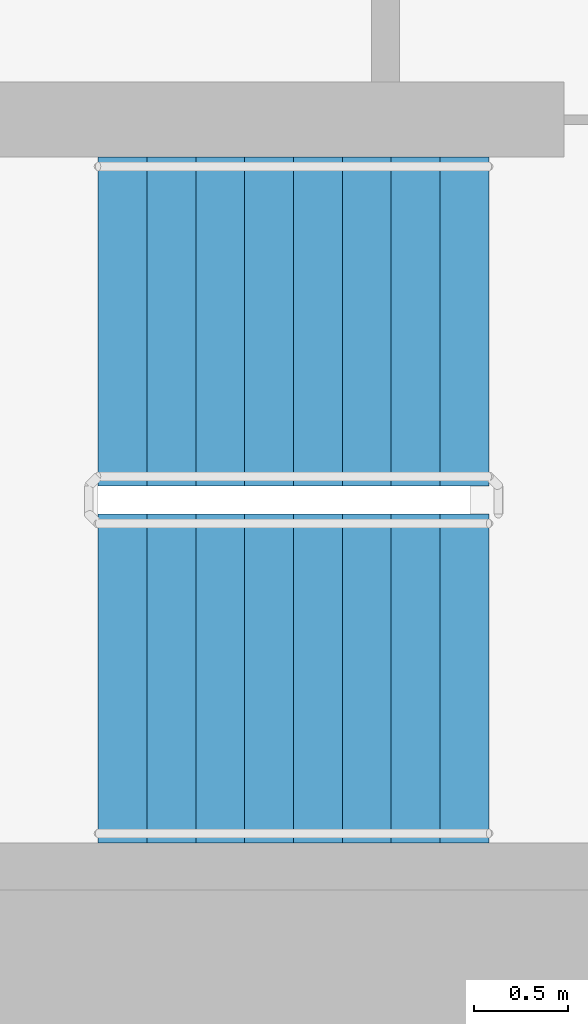
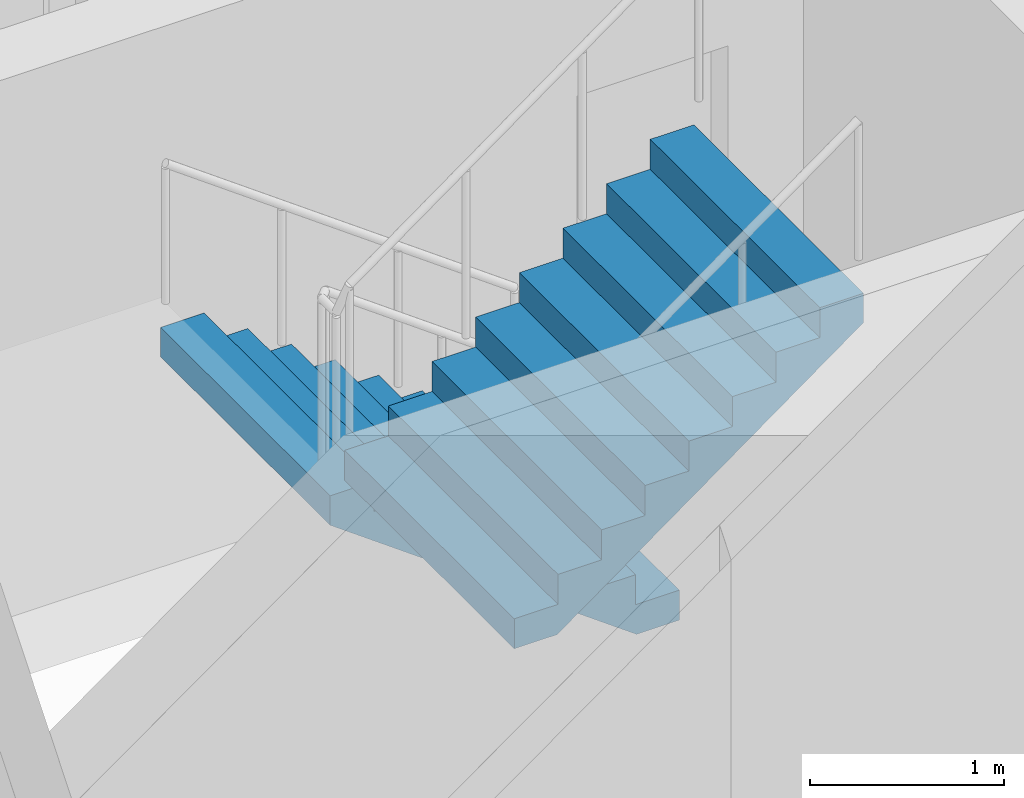
# One storey, part 15 of 21: 2 stair flights, 1 element without a shape of its own.
"""IFC4 building model written with IfcOpenShell, lengths in metres."""

from ifc_helpers import new_model, si_unit, direction, frame, origin, place, context, subcontext, project, spatial, faceted_brep, material, type_object, element, aggregate, save


model = new_model("IFC4")

# Units and contexts
model_context = context("Model", 3, precision=1e-05, world=origin(), true_north=direction((0.0, 1.0)))
body_context = subcontext(model_context, "Body", "Model", "MODEL_VIEW")
ifc_project = project(units=[si_unit("LENGTHUNIT", "METRE"), si_unit("AREAUNIT", "SQUARE_METRE"), si_unit("VOLUMEUNIT", "CUBIC_METRE"), si_unit("PLANEANGLEUNIT", "RADIAN"), si_unit("MASSUNIT", "GRAM", prefix="KILO")], contexts=[model_context])

# Site, building, storey
site_placement = place(None, origin())
site = spatial("IfcSite", under=ifc_project, at=site_placement, CompositionType="ELEMENT")
building_placement = place(site_placement, origin())
building = spatial("IfcBuilding", under=site, at=building_placement, Name="Ipe Terrace Towers", CompositionType="ELEMENT")
storey_placement = place(building_placement, frame((0.0, 0.0, 107.199951171875)))
storey = spatial("IfcBuildingStorey", under=building, at=storey_placement, Name="L29", CompositionType="ELEMENT", Elevation=107.199951171875)

# Stair, stair flights
ifc_material_1 = material(Name="Concrete C30/37", Category="concrete")
stair_type = type_object("IfcStairType", Name="Protected exit stair", PredefinedType="HALF_TURN_STAIR", material=ifc_material_1)
stair_placement = place(storey_placement, origin())
stair = element("IfcStair", 1, at=stair_placement, inside=storey, type_object=stair_type, Name="L29 Exit stair T1-C2", PredefinedType="HALF_TURN_STAIR")
ifc_material_2 = material(Name="Concrete C30/37", Category="concrete")
stair_flight_type = type_object("IfcStairFlightType", Name="Exit stair flight 1750", PredefinedType="STRAIGHT", material=ifc_material_2)
stair_flight_1_placement = place(storey_placement, frame((-45.699951171875, -2.77490234375, 0.0), z_axis=(0.0, 0.0, 1.0), x_axis=(-1.0, 0.0, 0.0)))
stair_flight_1 = element("IfcStairFlight", 2, at=stair_flight_1_placement, type_object=stair_flight_type, Name="T1-ST2 flight 1", NumberOfRisers=9, NumberOfTreads=8, PredefinedType="STRAIGHT", RiserHeight=0.188888889, TreadLength=0.26, context=body_context, shape_type="Brep", body=[
    faceted_brep([(0.255126953125, -0.875, 0.0), (2.080078125, -0.875, 1.325927734375), (2.080078125, -0.875, 1.51123046875), (1.820068359375, -0.875, 1.51123046875), (1.820068359375, -0.875, 1.322265625), (1.56005859375, -0.875, 1.322265625), (1.56005859375, -0.875, 1.13330078125), (1.300048828125, -0.875, 1.13330078125), (1.300048828125, -0.875, 0.9443359375), (1.0400390625, -0.875, 0.9443359375), (1.0400390625, -0.875, 0.755615234375), (0.780029296875, -0.875, 0.755615234375), (0.780029296875, -0.875, 0.566650390625), (0.52001953125, -0.875, 0.566650390625), (0.52001953125, -0.875, 0.377685546875), (0.260009765625, -0.875, 0.377685546875), (0.260009765625, -0.875, 0.18896484375), (0.0, -0.875, 0.18896484375), (0.0, -0.875, 0.0), (0.0, 0.875, 0.0), (0.0, 0.875, 0.18896484375), (0.260009765625, 0.875, 0.18896484375), (0.260009765625, 0.875, 0.377685546875), (0.52001953125, 0.875, 0.377685546875), (0.52001953125, 0.875, 0.566650390625), (0.780029296875, 0.875, 0.566650390625), (0.780029296875, 0.875, 0.755615234375), (1.0400390625, 0.875, 0.755615234375), (1.0400390625, 0.875, 0.9443359375), (1.300048828125, 0.875, 0.9443359375), (1.300048828125, 0.875, 1.13330078125), (1.56005859375, 0.875, 1.13330078125), (1.56005859375, 0.875, 1.322265625), (1.820068359375, 0.875, 1.322265625), (1.820068359375, 0.875, 1.51123046875), (2.080078125, 0.875, 1.51123046875), (2.080078125, 0.875, 1.325927734375), (0.255126953125, 0.875, 0.0), (0.0, -0.300048828125, 0.18896484375), (0.0, -0.1201171875, 0.18896484375), (0.0, -0.06005859375, 0.18896484375), (0.0, -0.030029296875, 0.18896484375), (0.0, -0.010009765625, 0.18896484375), (0.0, 0.0, 0.18896484375), (0.0, 0.010009765625, 0.18896484375), (0.0, 0.030029296875, 0.18896484375), (0.0, 0.06005859375, 0.18896484375), (0.0, 0.1201171875, 0.18896484375), (0.0, 0.300048828125, 0.18896484375), (0.0, 0.300048828125, 0.0), (0.0, 0.1201171875, 0.0), (0.0, 0.06005859375, 0.0), (0.0, 0.030029296875, 0.0), (0.0, 0.010009765625, 0.0), (0.0, 0.0, 0.0), (0.0, -0.010009765625, 0.0), (0.0, -0.030029296875, 0.0), (0.0, -0.06005859375, 0.0), (0.0, -0.1201171875, 0.0), (0.0, -0.300048828125, 0.0), (0.260009765625, -0.300048828125, 0.18896484375), (0.260009765625, -0.1201171875, 0.18896484375), (0.260009765625, -0.06005859375, 0.18896484375), (0.260009765625, -0.030029296875, 0.18896484375), (0.260009765625, -0.010009765625, 0.18896484375), (0.260009765625, 0.0, 0.18896484375), (0.260009765625, 0.010009765625, 0.18896484375), (0.260009765625, 0.030029296875, 0.18896484375), (0.260009765625, 0.06005859375, 0.18896484375), (0.260009765625, 0.1201171875, 0.18896484375), (0.260009765625, 0.300048828125, 0.18896484375), (0.260009765625, -0.300048828125, 0.377685546875), (0.260009765625, -0.1201171875, 0.377685546875), (0.260009765625, -0.06005859375, 0.377685546875), (0.260009765625, -0.030029296875, 0.377685546875), (0.260009765625, -0.010009765625, 0.377685546875), (0.260009765625, 0.0, 0.377685546875), (0.260009765625, 0.010009765625, 0.377685546875), (0.260009765625, 0.030029296875, 0.377685546875), (0.260009765625, 0.06005859375, 0.377685546875), (0.260009765625, 0.1201171875, 0.377685546875), (0.260009765625, 0.300048828125, 0.377685546875), (0.52001953125, -0.300048828125, 0.377685546875), (0.52001953125, -0.1201171875, 0.377685546875), (0.52001953125, -0.06005859375, 0.377685546875), (0.52001953125, -0.030029296875, 0.377685546875), (0.52001953125, -0.010009765625, 0.377685546875), (0.52001953125, 0.0, 0.377685546875), (0.52001953125, 0.010009765625, 0.377685546875), (0.52001953125, 0.030029296875, 0.377685546875), (0.52001953125, 0.06005859375, 0.377685546875), (0.52001953125, 0.1201171875, 0.377685546875), (0.52001953125, 0.300048828125, 0.377685546875), (0.52001953125, -0.300048828125, 0.566650390625), (0.52001953125, -0.1201171875, 0.566650390625), (0.52001953125, -0.06005859375, 0.566650390625), (0.52001953125, -0.030029296875, 0.566650390625), (0.52001953125, -0.010009765625, 0.566650390625), (0.52001953125, 0.0, 0.566650390625), (0.52001953125, 0.010009765625, 0.566650390625), (0.52001953125, 0.030029296875, 0.566650390625), (0.52001953125, 0.06005859375, 0.566650390625), (0.52001953125, 0.1201171875, 0.566650390625), (0.52001953125, 0.300048828125, 0.566650390625), (0.780029296875, -0.300048828125, 0.566650390625), (0.780029296875, -0.1201171875, 0.566650390625), (0.780029296875, -0.06005859375, 0.566650390625), (0.780029296875, -0.030029296875, 0.566650390625), (0.780029296875, -0.010009765625, 0.566650390625), (0.780029296875, 0.0, 0.566650390625), (0.780029296875, 0.010009765625, 0.566650390625), (0.780029296875, 0.030029296875, 0.566650390625), (0.780029296875, 0.06005859375, 0.566650390625), (0.780029296875, 0.1201171875, 0.566650390625), (0.780029296875, 0.300048828125, 0.566650390625), (0.780029296875, -0.300048828125, 0.755615234375), (0.780029296875, -0.1201171875, 0.755615234375), (0.780029296875, -0.06005859375, 0.755615234375), (0.780029296875, -0.030029296875, 0.755615234375), (0.780029296875, -0.010009765625, 0.755615234375), (0.780029296875, 0.0, 0.755615234375), (0.780029296875, 0.010009765625, 0.755615234375), (0.780029296875, 0.030029296875, 0.755615234375), (0.780029296875, 0.06005859375, 0.755615234375), (0.780029296875, 0.1201171875, 0.755615234375), (0.780029296875, 0.300048828125, 0.755615234375), (1.0400390625, -0.300048828125, 0.755615234375), (1.0400390625, -0.1201171875, 0.755615234375), (1.0400390625, -0.06005859375, 0.755615234375), (1.0400390625, -0.030029296875, 0.755615234375), (1.0400390625, -0.010009765625, 0.755615234375), (1.0400390625, 0.0, 0.755615234375), (1.0400390625, 0.010009765625, 0.755615234375), (1.0400390625, 0.030029296875, 0.755615234375), (1.0400390625, 0.06005859375, 0.755615234375), (1.0400390625, 0.1201171875, 0.755615234375), (1.0400390625, 0.300048828125, 0.755615234375), (1.0400390625, -0.300048828125, 0.9443359375), (1.0400390625, -0.1201171875, 0.9443359375), (1.0400390625, -0.06005859375, 0.9443359375), (1.0400390625, -0.030029296875, 0.9443359375), (1.0400390625, -0.010009765625, 0.9443359375), (1.0400390625, 0.0, 0.9443359375), (1.0400390625, 0.010009765625, 0.9443359375), (1.0400390625, 0.030029296875, 0.9443359375), (1.0400390625, 0.06005859375, 0.9443359375), (1.0400390625, 0.1201171875, 0.9443359375), (1.0400390625, 0.300048828125, 0.9443359375), (1.300048828125, -0.300048828125, 0.9443359375), (1.300048828125, -0.1201171875, 0.9443359375), (1.300048828125, -0.06005859375, 0.9443359375), (1.300048828125, -0.030029296875, 0.9443359375), (1.300048828125, -0.010009765625, 0.9443359375), (1.300048828125, 0.0, 0.9443359375), (1.300048828125, 0.010009765625, 0.9443359375), (1.300048828125, 0.030029296875, 0.9443359375), (1.300048828125, 0.06005859375, 0.9443359375), (1.300048828125, 0.1201171875, 0.9443359375), (1.300048828125, 0.300048828125, 0.9443359375), (1.300048828125, -0.300048828125, 1.13330078125), (1.300048828125, -0.1201171875, 1.13330078125), (1.300048828125, -0.06005859375, 1.13330078125), (1.300048828125, -0.030029296875, 1.13330078125), (1.300048828125, -0.010009765625, 1.13330078125), (1.300048828125, 0.0, 1.13330078125), (1.300048828125, 0.010009765625, 1.13330078125), (1.300048828125, 0.030029296875, 1.13330078125), (1.300048828125, 0.06005859375, 1.13330078125), (1.300048828125, 0.1201171875, 1.13330078125), (1.300048828125, 0.300048828125, 1.13330078125), (1.56005859375, -0.300048828125, 1.13330078125), (1.56005859375, -0.1201171875, 1.13330078125), (1.56005859375, -0.06005859375, 1.13330078125), (1.56005859375, -0.030029296875, 1.13330078125), (1.56005859375, -0.010009765625, 1.13330078125), (1.56005859375, 0.0, 1.13330078125), (1.56005859375, 0.010009765625, 1.13330078125), (1.56005859375, 0.030029296875, 1.13330078125), (1.56005859375, 0.06005859375, 1.13330078125), (1.56005859375, 0.1201171875, 1.13330078125), (1.56005859375, 0.300048828125, 1.13330078125), (1.56005859375, -0.300048828125, 1.322265625), (1.56005859375, -0.1201171875, 1.322265625), (1.56005859375, -0.06005859375, 1.322265625), (1.56005859375, -0.030029296875, 1.322265625), (1.56005859375, -0.010009765625, 1.322265625), (1.56005859375, 0.0, 1.322265625), (1.56005859375, 0.010009765625, 1.322265625), (1.56005859375, 0.030029296875, 1.322265625), (1.56005859375, 0.06005859375, 1.322265625), (1.56005859375, 0.1201171875, 1.322265625), (1.56005859375, 0.300048828125, 1.322265625), (1.820068359375, -0.300048828125, 1.322265625), (1.820068359375, -0.1201171875, 1.322265625), (1.820068359375, -0.06005859375, 1.322265625), (1.820068359375, -0.030029296875, 1.322265625), (1.820068359375, -0.010009765625, 1.322265625), (1.820068359375, 0.0, 1.322265625), (1.820068359375, 0.010009765625, 1.322265625), (1.820068359375, 0.030029296875, 1.322265625), (1.820068359375, 0.06005859375, 1.322265625), (1.820068359375, 0.1201171875, 1.322265625), (1.820068359375, 0.300048828125, 1.322265625), (1.820068359375, -0.300048828125, 1.51123046875), (1.820068359375, -0.1201171875, 1.51123046875), (1.820068359375, -0.06005859375, 1.51123046875), (1.820068359375, -0.030029296875, 1.51123046875), (1.820068359375, -0.010009765625, 1.51123046875), (1.820068359375, 0.0, 1.51123046875), (1.820068359375, 0.010009765625, 1.51123046875), (1.820068359375, 0.030029296875, 1.51123046875), (1.820068359375, 0.06005859375, 1.51123046875), (1.820068359375, 0.1201171875, 1.51123046875), (1.820068359375, 0.300048828125, 1.51123046875), (2.080078125, -0.300048828125, 1.51123046875), (2.080078125, -0.1201171875, 1.51123046875), (2.080078125, -0.06005859375, 1.51123046875), (2.080078125, -0.030029296875, 1.51123046875), (2.080078125, -0.010009765625, 1.51123046875), (2.080078125, 0.0, 1.51123046875), (2.080078125, 0.010009765625, 1.51123046875), (2.080078125, 0.030029296875, 1.51123046875), (2.080078125, 0.06005859375, 1.51123046875), (2.080078125, 0.1201171875, 1.51123046875), (2.080078125, 0.300048828125, 1.51123046875), (2.080078125, -0.300048828125, 1.325927734375), (2.080078125, -0.1201171875, 1.325927734375), (2.080078125, -0.06005859375, 1.325927734375), (2.080078125, -0.030029296875, 1.325927734375), (2.080078125, -0.010009765625, 1.325927734375), (2.080078125, 0.0, 1.325927734375), (2.080078125, 0.010009765625, 1.325927734375), (2.080078125, 0.030029296875, 1.325927734375), (2.080078125, 0.06005859375, 1.325927734375), (2.080078125, 0.1201171875, 1.325927734375), (2.080078125, 0.300048828125, 1.325927734375), (0.255126953125, -0.300048828125, 0.0), (0.255126953125, -0.1201171875, 0.0), (0.255126953125, -0.06005859375, 0.0), (0.255126953125, -0.030029296875, 0.0), (0.255126953125, -0.010009765625, 0.0), (0.255126953125, 0.0, 0.0), (0.255126953125, 0.010009765625, 0.0), (0.255126953125, 0.030029296875, 0.0), (0.255126953125, 0.06005859375, 0.0), (0.255126953125, 0.1201171875, 0.0), (0.255126953125, 0.300048828125, 0.0)], [[[0, 1, 2, 3, 4, 5, 6, 7, 8, 9, 10, 11, 12, 13, 14, 15, 16, 17, 18]], [[19, 20, 21, 22, 23, 24, 25, 26, 27, 28, 29, 30, 31, 32, 33, 34, 35, 36, 37]], [[17, 38, 39, 40, 41, 42, 43, 44, 45, 46, 47, 48, 20, 19, 49, 50, 51, 52, 53, 54, 55, 56, 57, 58, 59, 18]], [[16, 60, 61, 62, 63, 64, 65, 66, 67, 68, 69, 70, 21, 20, 48, 47, 46, 45, 44, 43, 42, 41, 40, 39, 38, 17]], [[15, 71, 72, 73, 74, 75, 76, 77, 78, 79, 80, 81, 22, 21, 70, 69, 68, 67, 66, 65, 64, 63, 62, 61, 60, 16]], [[14, 82, 83, 84, 85, 86, 87, 88, 89, 90, 91, 92, 23, 22, 81, 80, 79, 78, 77, 76, 75, 74, 73, 72, 71, 15]], [[13, 93, 94, 95, 96, 97, 98, 99, 100, 101, 102, 103, 24, 23, 92, 91, 90, 89, 88, 87, 86, 85, 84, 83, 82, 14]], [[12, 104, 105, 106, 107, 108, 109, 110, 111, 112, 113, 114, 25, 24, 103, 102, 101, 100, 99, 98, 97, 96, 95, 94, 93, 13]], [[11, 115, 116, 117, 118, 119, 120, 121, 122, 123, 124, 125, 26, 25, 114, 113, 112, 111, 110, 109, 108, 107, 106, 105, 104, 12]], [[10, 126, 127, 128, 129, 130, 131, 132, 133, 134, 135, 136, 27, 26, 125, 124, 123, 122, 121, 120, 119, 118, 117, 116, 115, 11]], [[9, 137, 138, 139, 140, 141, 142, 143, 144, 145, 146, 147, 28, 27, 136, 135, 134, 133, 132, 131, 130, 129, 128, 127, 126, 10]], [[8, 148, 149, 150, 151, 152, 153, 154, 155, 156, 157, 158, 29, 28, 147, 146, 145, 144, 143, 142, 141, 140, 139, 138, 137, 9]], [[7, 159, 160, 161, 162, 163, 164, 165, 166, 167, 168, 169, 30, 29, 158, 157, 156, 155, 154, 153, 152, 151, 150, 149, 148, 8]], [[6, 170, 171, 172, 173, 174, 175, 176, 177, 178, 179, 180, 31, 30, 169, 168, 167, 166, 165, 164, 163, 162, 161, 160, 159, 7]], [[5, 181, 182, 183, 184, 185, 186, 187, 188, 189, 190, 191, 32, 31, 180, 179, 178, 177, 176, 175, 174, 173, 172, 171, 170, 6]], [[4, 192, 193, 194, 195, 196, 197, 198, 199, 200, 201, 202, 33, 32, 191, 190, 189, 188, 187, 186, 185, 184, 183, 182, 181, 5]], [[3, 203, 204, 205, 206, 207, 208, 209, 210, 211, 212, 213, 34, 33, 202, 201, 200, 199, 198, 197, 196, 195, 194, 193, 192, 4]], [[2, 214, 215, 216, 217, 218, 219, 220, 221, 222, 223, 224, 35, 34, 213, 212, 211, 210, 209, 208, 207, 206, 205, 204, 203, 3]], [[1, 225, 226, 227, 228, 229, 230, 231, 232, 233, 234, 235, 36, 35, 224, 223, 222, 221, 220, 219, 218, 217, 216, 215, 214, 2]], [[0, 236, 237, 238, 239, 240, 241, 242, 243, 244, 245, 246, 37, 36, 235, 234, 233, 232, 231, 230, 229, 228, 227, 226, 225, 1]], [[18, 59, 58, 57, 56, 55, 54, 53, 52, 51, 50, 49, 19, 37, 246, 245, 244, 243, 242, 241, 240, 239, 238, 237, 236, 0]]]),
])
stair_flight_2_placement = place(storey_placement, frame((-47.780029296875, -4.675048828125, 1.699951171875), z_axis=(0.0, 0.0, 1.0), x_axis=(1.0, 0.0, 0.0)))
stair_flight_2 = element("IfcStairFlight", 3, at=stair_flight_2_placement, type_object=stair_flight_type, Name="T1-ST2 flight 2", NumberOfRisers=9, NumberOfTreads=8, PredefinedType="STRAIGHT", RiserHeight=0.188888889, TreadLength=0.26, context=body_context, shape_type="Brep", body=[
    faceted_brep([(0.255126953125, -0.875, 0.0), (2.080078125, -0.875, 1.325927734375), (2.080078125, -0.875, 1.51123046875), (1.820068359375, -0.875, 1.51123046875), (1.820068359375, -0.875, 1.322265625), (1.56005859375, -0.875, 1.322265625), (1.56005859375, -0.875, 1.13330078125), (1.300048828125, -0.875, 1.13330078125), (1.300048828125, -0.875, 0.9443359375), (1.0400390625, -0.875, 0.9443359375), (1.0400390625, -0.875, 0.755615234375), (0.780029296875, -0.875, 0.755615234375), (0.780029296875, -0.875, 0.566650390625), (0.52001953125, -0.875, 0.566650390625), (0.52001953125, -0.875, 0.377685546875), (0.260009765625, -0.875, 0.377685546875), (0.260009765625, -0.875, 0.18896484375), (0.0, -0.875, 0.18896484375), (0.0, -0.875, 0.0), (0.0, 0.875, 0.0), (0.0, 0.875, 0.18896484375), (0.260009765625, 0.875, 0.18896484375), (0.260009765625, 0.875, 0.377685546875), (0.52001953125, 0.875, 0.377685546875), (0.52001953125, 0.875, 0.566650390625), (0.780029296875, 0.875, 0.566650390625), (0.780029296875, 0.875, 0.755615234375), (1.0400390625, 0.875, 0.755615234375), (1.0400390625, 0.875, 0.9443359375), (1.300048828125, 0.875, 0.9443359375), (1.300048828125, 0.875, 1.13330078125), (1.56005859375, 0.875, 1.13330078125), (1.56005859375, 0.875, 1.322265625), (1.820068359375, 0.875, 1.322265625), (1.820068359375, 0.875, 1.51123046875), (2.080078125, 0.875, 1.51123046875), (2.080078125, 0.875, 1.325927734375), (0.255126953125, 0.875, 0.0), (0.0, -0.300048828125, 0.18896484375), (0.0, -0.1201171875, 0.18896484375), (0.0, -0.06005859375, 0.18896484375), (0.0, -0.030029296875, 0.18896484375), (0.0, -0.010009765625, 0.18896484375), (0.0, 0.0, 0.18896484375), (0.0, 0.010009765625, 0.18896484375), (0.0, 0.030029296875, 0.18896484375), (0.0, 0.06005859375, 0.18896484375), (0.0, 0.1201171875, 0.18896484375), (0.0, 0.300048828125, 0.18896484375), (0.0, 0.300048828125, 0.0), (0.0, 0.1201171875, 0.0), (0.0, 0.06005859375, 0.0), (0.0, 0.030029296875, 0.0), (0.0, 0.010009765625, 0.0), (0.0, 0.0, 0.0), (0.0, -0.010009765625, 0.0), (0.0, -0.030029296875, 0.0), (0.0, -0.06005859375, 0.0), (0.0, -0.1201171875, 0.0), (0.0, -0.300048828125, 0.0), (0.260009765625, -0.300048828125, 0.18896484375), (0.260009765625, -0.1201171875, 0.18896484375), (0.260009765625, -0.06005859375, 0.18896484375), (0.260009765625, -0.030029296875, 0.18896484375), (0.260009765625, -0.010009765625, 0.18896484375), (0.260009765625, 0.0, 0.18896484375), (0.260009765625, 0.010009765625, 0.18896484375), (0.260009765625, 0.030029296875, 0.18896484375), (0.260009765625, 0.06005859375, 0.18896484375), (0.260009765625, 0.1201171875, 0.18896484375), (0.260009765625, 0.300048828125, 0.18896484375), (0.260009765625, -0.300048828125, 0.377685546875), (0.260009765625, -0.1201171875, 0.377685546875), (0.260009765625, -0.06005859375, 0.377685546875), (0.260009765625, -0.030029296875, 0.377685546875), (0.260009765625, -0.010009765625, 0.377685546875), (0.260009765625, 0.0, 0.377685546875), (0.260009765625, 0.010009765625, 0.377685546875), (0.260009765625, 0.030029296875, 0.377685546875), (0.260009765625, 0.06005859375, 0.377685546875), (0.260009765625, 0.1201171875, 0.377685546875), (0.260009765625, 0.300048828125, 0.377685546875), (0.52001953125, -0.300048828125, 0.377685546875), (0.52001953125, -0.1201171875, 0.377685546875), (0.52001953125, -0.06005859375, 0.377685546875), (0.52001953125, -0.030029296875, 0.377685546875), (0.52001953125, -0.010009765625, 0.377685546875), (0.52001953125, 0.0, 0.377685546875), (0.52001953125, 0.010009765625, 0.377685546875), (0.52001953125, 0.030029296875, 0.377685546875), (0.52001953125, 0.06005859375, 0.377685546875), (0.52001953125, 0.1201171875, 0.377685546875), (0.52001953125, 0.300048828125, 0.377685546875), (0.52001953125, -0.300048828125, 0.566650390625), (0.52001953125, -0.1201171875, 0.566650390625), (0.52001953125, -0.06005859375, 0.566650390625), (0.52001953125, -0.030029296875, 0.566650390625), (0.52001953125, -0.010009765625, 0.566650390625), (0.52001953125, 0.0, 0.566650390625), (0.52001953125, 0.010009765625, 0.566650390625), (0.52001953125, 0.030029296875, 0.566650390625), (0.52001953125, 0.06005859375, 0.566650390625), (0.52001953125, 0.1201171875, 0.566650390625), (0.52001953125, 0.300048828125, 0.566650390625), (0.780029296875, -0.300048828125, 0.566650390625), (0.780029296875, -0.1201171875, 0.566650390625), (0.780029296875, -0.06005859375, 0.566650390625), (0.780029296875, -0.030029296875, 0.566650390625), (0.780029296875, -0.010009765625, 0.566650390625), (0.780029296875, 0.0, 0.566650390625), (0.780029296875, 0.010009765625, 0.566650390625), (0.780029296875, 0.030029296875, 0.566650390625), (0.780029296875, 0.06005859375, 0.566650390625), (0.780029296875, 0.1201171875, 0.566650390625), (0.780029296875, 0.300048828125, 0.566650390625), (0.780029296875, -0.300048828125, 0.755615234375), (0.780029296875, -0.1201171875, 0.755615234375), (0.780029296875, -0.06005859375, 0.755615234375), (0.780029296875, -0.030029296875, 0.755615234375), (0.780029296875, -0.010009765625, 0.755615234375), (0.780029296875, 0.0, 0.755615234375), (0.780029296875, 0.010009765625, 0.755615234375), (0.780029296875, 0.030029296875, 0.755615234375), (0.780029296875, 0.06005859375, 0.755615234375), (0.780029296875, 0.1201171875, 0.755615234375), (0.780029296875, 0.300048828125, 0.755615234375), (1.0400390625, -0.300048828125, 0.755615234375), (1.0400390625, -0.1201171875, 0.755615234375), (1.0400390625, -0.06005859375, 0.755615234375), (1.0400390625, -0.030029296875, 0.755615234375), (1.0400390625, -0.010009765625, 0.755615234375), (1.0400390625, 0.0, 0.755615234375), (1.0400390625, 0.010009765625, 0.755615234375), (1.0400390625, 0.030029296875, 0.755615234375), (1.0400390625, 0.06005859375, 0.755615234375), (1.0400390625, 0.1201171875, 0.755615234375), (1.0400390625, 0.300048828125, 0.755615234375), (1.0400390625, -0.300048828125, 0.9443359375), (1.0400390625, -0.1201171875, 0.9443359375), (1.0400390625, -0.06005859375, 0.9443359375), (1.0400390625, -0.030029296875, 0.9443359375), (1.0400390625, -0.010009765625, 0.9443359375), (1.0400390625, 0.0, 0.9443359375), (1.0400390625, 0.010009765625, 0.9443359375), (1.0400390625, 0.030029296875, 0.9443359375), (1.0400390625, 0.06005859375, 0.9443359375), (1.0400390625, 0.1201171875, 0.9443359375), (1.0400390625, 0.300048828125, 0.9443359375), (1.300048828125, -0.300048828125, 0.9443359375), (1.300048828125, -0.1201171875, 0.9443359375), (1.300048828125, -0.06005859375, 0.9443359375), (1.300048828125, -0.030029296875, 0.9443359375), (1.300048828125, -0.010009765625, 0.9443359375), (1.300048828125, 0.0, 0.9443359375), (1.300048828125, 0.010009765625, 0.9443359375), (1.300048828125, 0.030029296875, 0.9443359375), (1.300048828125, 0.06005859375, 0.9443359375), (1.300048828125, 0.1201171875, 0.9443359375), (1.300048828125, 0.300048828125, 0.9443359375), (1.300048828125, -0.300048828125, 1.13330078125), (1.300048828125, -0.1201171875, 1.13330078125), (1.300048828125, -0.06005859375, 1.13330078125), (1.300048828125, -0.030029296875, 1.13330078125), (1.300048828125, -0.010009765625, 1.13330078125), (1.300048828125, 0.0, 1.13330078125), (1.300048828125, 0.010009765625, 1.13330078125), (1.300048828125, 0.030029296875, 1.13330078125), (1.300048828125, 0.06005859375, 1.13330078125), (1.300048828125, 0.1201171875, 1.13330078125), (1.300048828125, 0.300048828125, 1.13330078125), (1.56005859375, -0.300048828125, 1.13330078125), (1.56005859375, -0.1201171875, 1.13330078125), (1.56005859375, -0.06005859375, 1.13330078125), (1.56005859375, -0.030029296875, 1.13330078125), (1.56005859375, -0.010009765625, 1.13330078125), (1.56005859375, 0.0, 1.13330078125), (1.56005859375, 0.010009765625, 1.13330078125), (1.56005859375, 0.030029296875, 1.13330078125), (1.56005859375, 0.06005859375, 1.13330078125), (1.56005859375, 0.1201171875, 1.13330078125), (1.56005859375, 0.300048828125, 1.13330078125), (1.56005859375, -0.300048828125, 1.322265625), (1.56005859375, -0.1201171875, 1.322265625), (1.56005859375, -0.06005859375, 1.322265625), (1.56005859375, -0.030029296875, 1.322265625), (1.56005859375, -0.010009765625, 1.322265625), (1.56005859375, 0.0, 1.322265625), (1.56005859375, 0.010009765625, 1.322265625), (1.56005859375, 0.030029296875, 1.322265625), (1.56005859375, 0.06005859375, 1.322265625), (1.56005859375, 0.1201171875, 1.322265625), (1.56005859375, 0.300048828125, 1.322265625), (1.820068359375, -0.300048828125, 1.322265625), (1.820068359375, -0.1201171875, 1.322265625), (1.820068359375, -0.06005859375, 1.322265625), (1.820068359375, -0.030029296875, 1.322265625), (1.820068359375, -0.010009765625, 1.322265625), (1.820068359375, 0.0, 1.322265625), (1.820068359375, 0.010009765625, 1.322265625), (1.820068359375, 0.030029296875, 1.322265625), (1.820068359375, 0.06005859375, 1.322265625), (1.820068359375, 0.1201171875, 1.322265625), (1.820068359375, 0.300048828125, 1.322265625), (1.820068359375, -0.300048828125, 1.51123046875), (1.820068359375, -0.1201171875, 1.51123046875), (1.820068359375, -0.06005859375, 1.51123046875), (1.820068359375, -0.030029296875, 1.51123046875), (1.820068359375, -0.010009765625, 1.51123046875), (1.820068359375, 0.0, 1.51123046875), (1.820068359375, 0.010009765625, 1.51123046875), (1.820068359375, 0.030029296875, 1.51123046875), (1.820068359375, 0.06005859375, 1.51123046875), (1.820068359375, 0.1201171875, 1.51123046875), (1.820068359375, 0.300048828125, 1.51123046875), (2.080078125, -0.300048828125, 1.51123046875), (2.080078125, -0.1201171875, 1.51123046875), (2.080078125, -0.06005859375, 1.51123046875), (2.080078125, -0.030029296875, 1.51123046875), (2.080078125, -0.010009765625, 1.51123046875), (2.080078125, 0.0, 1.51123046875), (2.080078125, 0.010009765625, 1.51123046875), (2.080078125, 0.030029296875, 1.51123046875), (2.080078125, 0.06005859375, 1.51123046875), (2.080078125, 0.1201171875, 1.51123046875), (2.080078125, 0.300048828125, 1.51123046875), (2.080078125, -0.300048828125, 1.325927734375), (2.080078125, -0.1201171875, 1.325927734375), (2.080078125, -0.06005859375, 1.325927734375), (2.080078125, -0.030029296875, 1.325927734375), (2.080078125, -0.010009765625, 1.325927734375), (2.080078125, 0.0, 1.325927734375), (2.080078125, 0.010009765625, 1.325927734375), (2.080078125, 0.030029296875, 1.325927734375), (2.080078125, 0.06005859375, 1.325927734375), (2.080078125, 0.1201171875, 1.325927734375), (2.080078125, 0.300048828125, 1.325927734375), (0.255126953125, -0.300048828125, 0.0), (0.255126953125, -0.1201171875, 0.0), (0.255126953125, -0.06005859375, 0.0), (0.255126953125, -0.030029296875, 0.0), (0.255126953125, -0.010009765625, 0.0), (0.255126953125, 0.0, 0.0), (0.255126953125, 0.010009765625, 0.0), (0.255126953125, 0.030029296875, 0.0), (0.255126953125, 0.06005859375, 0.0), (0.255126953125, 0.1201171875, 0.0), (0.255126953125, 0.300048828125, 0.0)], [[[0, 1, 2, 3, 4, 5, 6, 7, 8, 9, 10, 11, 12, 13, 14, 15, 16, 17, 18]], [[19, 20, 21, 22, 23, 24, 25, 26, 27, 28, 29, 30, 31, 32, 33, 34, 35, 36, 37]], [[17, 38, 39, 40, 41, 42, 43, 44, 45, 46, 47, 48, 20, 19, 49, 50, 51, 52, 53, 54, 55, 56, 57, 58, 59, 18]], [[16, 60, 61, 62, 63, 64, 65, 66, 67, 68, 69, 70, 21, 20, 48, 47, 46, 45, 44, 43, 42, 41, 40, 39, 38, 17]], [[15, 71, 72, 73, 74, 75, 76, 77, 78, 79, 80, 81, 22, 21, 70, 69, 68, 67, 66, 65, 64, 63, 62, 61, 60, 16]], [[14, 82, 83, 84, 85, 86, 87, 88, 89, 90, 91, 92, 23, 22, 81, 80, 79, 78, 77, 76, 75, 74, 73, 72, 71, 15]], [[13, 93, 94, 95, 96, 97, 98, 99, 100, 101, 102, 103, 24, 23, 92, 91, 90, 89, 88, 87, 86, 85, 84, 83, 82, 14]], [[12, 104, 105, 106, 107, 108, 109, 110, 111, 112, 113, 114, 25, 24, 103, 102, 101, 100, 99, 98, 97, 96, 95, 94, 93, 13]], [[11, 115, 116, 117, 118, 119, 120, 121, 122, 123, 124, 125, 26, 25, 114, 113, 112, 111, 110, 109, 108, 107, 106, 105, 104, 12]], [[10, 126, 127, 128, 129, 130, 131, 132, 133, 134, 135, 136, 27, 26, 125, 124, 123, 122, 121, 120, 119, 118, 117, 116, 115, 11]], [[9, 137, 138, 139, 140, 141, 142, 143, 144, 145, 146, 147, 28, 27, 136, 135, 134, 133, 132, 131, 130, 129, 128, 127, 126, 10]], [[8, 148, 149, 150, 151, 152, 153, 154, 155, 156, 157, 158, 29, 28, 147, 146, 145, 144, 143, 142, 141, 140, 139, 138, 137, 9]], [[7, 159, 160, 161, 162, 163, 164, 165, 166, 167, 168, 169, 30, 29, 158, 157, 156, 155, 154, 153, 152, 151, 150, 149, 148, 8]], [[6, 170, 171, 172, 173, 174, 175, 176, 177, 178, 179, 180, 31, 30, 169, 168, 167, 166, 165, 164, 163, 162, 161, 160, 159, 7]], [[5, 181, 182, 183, 184, 185, 186, 187, 188, 189, 190, 191, 32, 31, 180, 179, 178, 177, 176, 175, 174, 173, 172, 171, 170, 6]], [[4, 192, 193, 194, 195, 196, 197, 198, 199, 200, 201, 202, 33, 32, 191, 190, 189, 188, 187, 186, 185, 184, 183, 182, 181, 5]], [[3, 203, 204, 205, 206, 207, 208, 209, 210, 211, 212, 213, 34, 33, 202, 201, 200, 199, 198, 197, 196, 195, 194, 193, 192, 4]], [[2, 214, 215, 216, 217, 218, 219, 220, 221, 222, 223, 224, 35, 34, 213, 212, 211, 210, 209, 208, 207, 206, 205, 204, 203, 3]], [[1, 225, 226, 227, 228, 229, 230, 231, 232, 233, 234, 235, 36, 35, 224, 223, 222, 221, 220, 219, 218, 217, 216, 215, 214, 2]], [[0, 236, 237, 238, 239, 240, 241, 242, 243, 244, 245, 246, 37, 36, 235, 234, 233, 232, 231, 230, 229, 228, 227, 226, 225, 1]], [[18, 59, 58, 57, 56, 55, 54, 53, 52, 51, 50, 49, 19, 37, 246, 245, 244, 243, 242, 241, 240, 239, 238, 237, 236, 0]]]),
])
aggregate(stair, [stair_flight_1, stair_flight_2])

save(model, "model.ifc")
